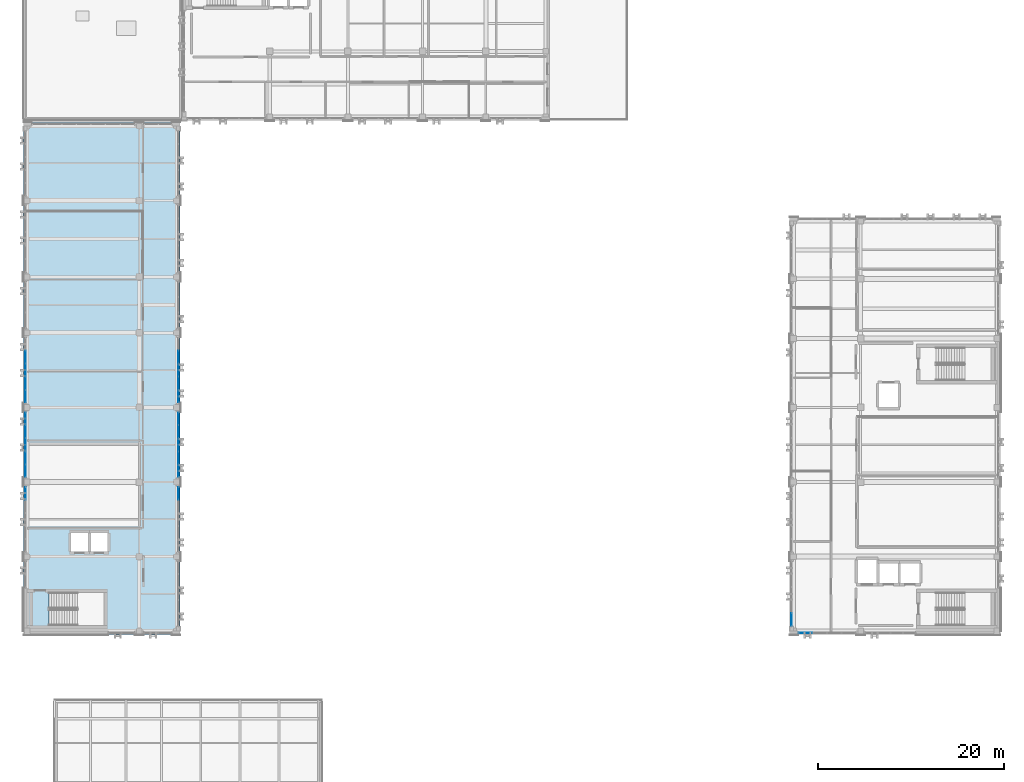
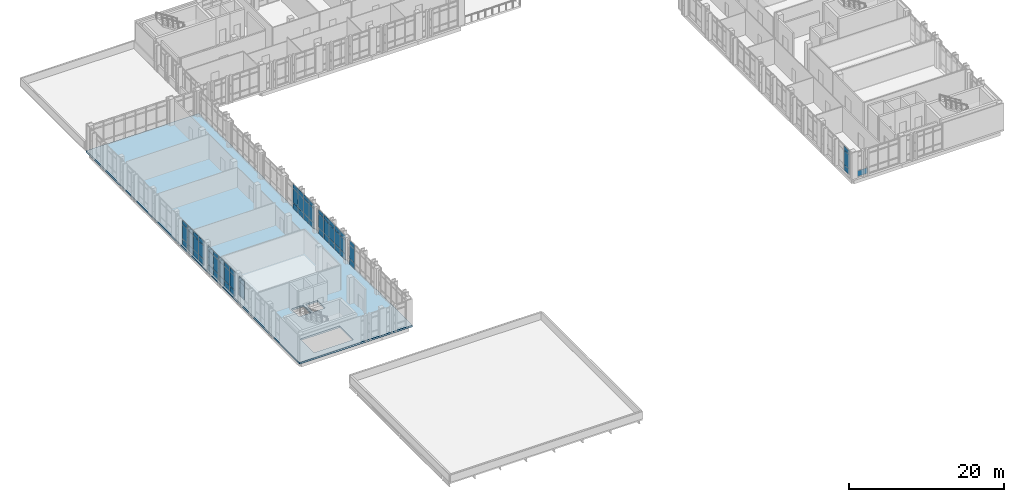
# One storey, part 59 of 90: 63 plates, 1 slab, 8 elements without a shape of their own.
"""IFC4 building model written with IfcOpenShell, lengths in metres."""

import ifcopenshell
import ifcopenshell.guid

model = None  # the IFC model being written
_history = None  # IfcOwnerHistory: only IFC2X3 demands one
_inside = {}  # id of a spatial element -> (the spatial element, [elements in it])
_under = {}  # id of a project, library or spatial element -> (it, [spatial elements below it])
_declared = {}  # id of a project -> (the project, [libraries it declares])
_typed = {}  # id of a type object -> (the type object, [elements of that type])
_made_of = {}  # id of a material, layer set ... -> (it, [elements and type objects made of it])


def new_model(schema):
    """Start an empty IFC model of exactly this schema.

    Asked for "IFC4X3", IfcOpenShell would pick the latest addendum, in which some entities
    have other attributes; the version numbers below select the first issue.
    IFC2X3 requires an IfcOwnerHistory on every rooted entity: one is made here for all.
    """
    global model, _history
    if schema == "IFC4X3":
        model = ifcopenshell.file(schema_version=(4, 3, 0, 0))
    else:
        model = ifcopenshell.file(schema=schema)
    _inside.clear()
    _under.clear()
    _declared.clear()
    _typed.clear()
    _made_of.clear()
    _history = None
    if model.schema == "IFC2X3":
        org = make("IfcOrganization", Name="unknown")
        user = make(
            "IfcPersonAndOrganization",
            ThePerson=make("IfcPerson", FamilyName="unknown"),
            TheOrganization=org,
        )
        app = make(
            "IfcApplication",
            ApplicationDeveloper=org,
            Version="unknown",
            ApplicationFullName="unknown",
            ApplicationIdentifier="unknown",
        )
        _history = make(
            "IfcOwnerHistory",
            OwningUser=user,
            OwningApplication=app,
            ChangeAction="ADDED",
            CreationDate=0,
        )
    return model


def make(cls, **values):
    """One entity of the class cls with the attributes given. An attribute that is None is left unset."""
    return model.create_entity(
        cls, **{name: value for name, value in values.items() if value is not None}
    )


def rooted(cls, **values):
    """An entity with a GlobalId (a new one), such as an element, a storey or a relation."""
    return make(cls, GlobalId=ifcopenshell.guid.new(), OwnerHistory=_history, **values)


def si_unit(unit_type, name, prefix=None):
    """IfcSIUnit, for example si_unit("LENGTHUNIT", "METRE", prefix="MILLI")."""
    return make("IfcSIUnit", UnitType=unit_type, Prefix=prefix, Name=name)


def assignment(units):
    """IfcUnitAssignment: the units of a project."""
    return None if units is None else make("IfcUnitAssignment", Units=units)


def point(xyz):
    """IfcCartesianPoint."""
    return None if xyz is None else make("IfcCartesianPoint", Coordinates=xyz)


def direction(xyz):
    """IfcDirection."""
    return None if xyz is None else make("IfcDirection", DirectionRatios=xyz)


def frame(location, z_axis=None, x_axis=None):
    """IfcAxis2Placement3D, a coordinate frame: its origin and axes. An axis left out is left unset."""
    return make(
        "IfcAxis2Placement3D",
        Location=point(location),
        Axis=direction(z_axis),
        RefDirection=direction(x_axis),
    )


def frame_2d(location, x_axis=None):
    """IfcAxis2Placement2D, a coordinate frame in the plane: its origin and x axis."""
    return make(
        "IfcAxis2Placement2D", Location=point(location), RefDirection=direction(x_axis)
    )


def origin():
    """The frame at (0, 0, 0) with its axes left unset."""
    return frame((0.0, 0.0, 0.0))


def origin_2d():
    """The frame at (0, 0) in the plane with its x axis left unset."""
    return frame_2d((0.0, 0.0))


def place(relative_to, where):
    """IfcLocalPlacement: puts the frame where relative to a parent placement (None: the world)."""
    return make(
        "IfcLocalPlacement", PlacementRelTo=relative_to, RelativePlacement=where
    )


def context(
    kind, dimensions, precision=None, world=None, true_north=None, identifier=None
):
    """IfcGeometricRepresentationContext, for example the 3D "Model" context."""
    return make(
        "IfcGeometricRepresentationContext",
        ContextIdentifier=identifier,
        ContextType=kind,
        CoordinateSpaceDimension=dimensions,
        Precision=precision,
        WorldCoordinateSystem=world,
        TrueNorth=true_north,
    )


def subcontext(parent, identifier, kind, view, scale=None):
    """IfcGeometricRepresentationSubContext, for example "Body" below "Model"."""
    return make(
        "IfcGeometricRepresentationSubContext",
        ContextIdentifier=identifier,
        ContextType=kind,
        ParentContext=parent,
        TargetScale=scale,
        TargetView=view,
    )


def project(units=None, contexts=None):
    """IfcProject with its units and contexts."""
    return rooted(
        "IfcProject",
        Name="project",
        RepresentationContexts=contexts,
        UnitsInContext=assignment(units),
    )


def spatial(cls, under=None, at=None, **own):
    """A site, building, storey or space (cls), placed at a placement, below another one or the project."""
    s = rooted(cls, ObjectPlacement=at, **own)
    if under is not None:
        _under.setdefault(under.id(), (under, []))[1].append(s)
    return s


def polyline(points):
    """IfcPolyline through the points."""
    return make("IfcPolyline", Points=[point(p) for p in points])


def profile(cls, at=None, kind="AREA", **sizes):
    """A parametric profile (cls). Its sizes go by their IFC names, for example OverallWidth=200.0."""
    return make(cls, ProfileType=kind, Position=at, **sizes)


def rectangle(**sizes):
    """IfcRectangleProfileDef."""
    return profile("IfcRectangleProfileDef", **sizes)


def outline(outer, holes=None, kind="AREA"):
    """IfcArbitraryClosedProfileDef: a profile drawn as a closed curve; with holes, ...WithVoids."""
    if holes is None:
        return make("IfcArbitraryClosedProfileDef", ProfileType=kind, OuterCurve=outer)
    return make(
        "IfcArbitraryProfileDefWithVoids",
        ProfileType=kind,
        OuterCurve=outer,
        InnerCurves=holes,
    )


def extrude(swept, where, along, depth):
    """IfcExtrudedAreaSolid: the profile swept, set in the frame where, extruded along a direction by depth."""
    return make(
        "IfcExtrudedAreaSolid",
        SweptArea=swept,
        Position=where,
        ExtrudedDirection=direction(along),
        Depth=depth,
    )


def shape(context_of_items, identifier, shape_type, items):
    """IfcShapeRepresentation: the items that make up one representation, for example the "Body"."""
    return make(
        "IfcShapeRepresentation",
        ContextOfItems=context_of_items,
        RepresentationIdentifier=identifier,
        RepresentationType=shape_type,
        Items=items,
    )


def material(Name=None, Category=None):
    """IfcMaterial."""
    return make("IfcMaterial", Name=Name, Category=Category)


def layer(
    of_material, thickness, ventilated=None, Name=None, Category=None, Priority=None
):
    """IfcMaterialLayer: one layer of a wall or slab, of a material (None: an air gap)."""
    return make(
        "IfcMaterialLayer",
        Material=of_material,
        LayerThickness=thickness,
        IsVentilated=ventilated,
        Name=Name,
        Category=Category,
        Priority=Priority,
    )


def layer_set(layers, Name=None):
    """IfcMaterialLayerSet."""
    return make("IfcMaterialLayerSet", MaterialLayers=layers, LayerSetName=Name)


def made_of(thing, what):
    """Note that an element or type object is made of a material, layer set ...; save() writes the relation."""
    if what is not None:
        _made_of.setdefault(what.id(), (what, []))[1].append(thing)
    return thing


def type_object(cls, material=None, **own):
    """A type object (cls), such as IfcWallType, which elements share."""
    return made_of(rooted(cls, **own), material)


def element(
    cls,
    number,
    at=None,
    inside=None,
    cuts=None,
    type_object=None,
    material=None,
    context=None,
    identifier="Body",
    shape_type=None,
    held_by="IfcProductDefinitionShape",
    body=None,
    shapes=None,
    **own,
):
    """One element of the class cls, such as IfcWall. Its Tag is "e" and its number.

    at: its placement. inside: the storey or other place that contains it. cuts: it is an
    opening in that element (IfcRelVoidsElement). A single representation is given by context,
    identifier, shape_type and body (its items); several are given by shapes. held_by: the class
    of the entity that holds the representations. save() writes the other relations.
    """
    e = rooted(cls, Tag="e%d" % number, ObjectPlacement=at, **own)
    if body is not None:
        shapes = [shape(context, identifier, shape_type, body)]
    if shapes is not None:
        e.Representation = make(held_by, Representations=shapes)
    if inside is not None:
        _inside.setdefault(inside.id(), (inside, []))[1].append(e)
    if cuts is not None:
        rooted(
            "IfcRelVoidsElement", RelatingBuildingElement=cuts, RelatedOpeningElement=e
        )
    if type_object is not None:
        _typed.setdefault(type_object.id(), (type_object, []))[1].append(e)
    return made_of(e, material)


def aggregate(whole, parts):
    """IfcRelAggregates: a whole, such as a stair, and the parts it consists of."""
    return rooted("IfcRelAggregates", RelatingObject=whole, RelatedObjects=parts)


def save(model, path):
    """Write the relations noted so far, then the file.

    IfcRelAggregates (storeys below a building ...), IfcRelContainedInSpatialStructure (elements
    in a storey), IfcRelDefinesByType, IfcRelAssociatesMaterial and IfcRelDeclares: one each for
    every whole, place, type object, material and project.
    """
    for whole, parts in _under.values():
        aggregate(whole, parts)
    for where, things in _inside.values():
        rooted(
            "IfcRelContainedInSpatialStructure",
            RelatedElements=things,
            RelatingStructure=where,
        )
    for kind, things in _typed.values():
        rooted("IfcRelDefinesByType", RelatedObjects=things, RelatingType=kind)
    for what, things in _made_of.values():
        rooted("IfcRelAssociatesMaterial", RelatedObjects=things, RelatingMaterial=what)
    for by, libraries in _declared.values():
        rooted("IfcRelDeclares", RelatingContext=by, RelatedDefinitions=libraries)
    model.write(path)


model = new_model("IFC4")

# Units and contexts
model_context = context("Model", 3, precision=1e-05, world=origin(), true_north=direction((0.0, 1.0)))
body_context = subcontext(model_context, "Body", "Model", "MODEL_VIEW")
ifc_project = project(units=[si_unit("LENGTHUNIT", "METRE"), si_unit("AREAUNIT", "SQUARE_METRE"), si_unit("VOLUMEUNIT", "CUBIC_METRE"), si_unit("PLANEANGLEUNIT", "RADIAN"), si_unit("MASSUNIT", "GRAM", prefix="KILO")], contexts=[model_context])

# Site, building, storey
site_placement = place(None, origin())
site = spatial("IfcSite", under=ifc_project, at=site_placement, CompositionType="ELEMENT")
building_placement = place(site_placement, origin())
building = spatial("IfcBuilding", under=site, at=building_placement, Name="Qalavern Law Courts", CompositionType="ELEMENT")
storey_placement = place(building_placement, frame((0.0, 0.0, 22.800048828125)))
storey = spatial("IfcBuildingStorey", under=building, at=storey_placement, Name="L05", CompositionType="ELEMENT", Elevation=22.800048828125)

# Curtain wall, plate
ifc_material_1 = material(Name="Anodised aluminium and insulated glazing", Category="aluminium")
ifc_layer_1 = layer(ifc_material_1, 0.159912109375)
ifc_layer_set_1 = layer_set([ifc_layer_1], Name="Anodised aluminium and insulated glazing")
curtain_wall_type = type_object("IfcCurtainWallType", Name="ENV-CW-CHAMB", PredefinedType="USERDEFINED", material=ifc_layer_set_1)
curtain_wall_1_placement = place(storey_placement, origin())
curtain_wall_1 = element("IfcCurtainWall", 1, at=curtain_wall_1_placement, inside=storey, type_object=curtain_wall_type, Name="V4 unitised curtain wall L05 south 1", ObjectType="UNITISED CURTAIN WALL", PredefinedType="USERDEFINED")
ifc_material_2 = material(Name="Insulated low-E acoustic glazing", Category="glass")
ifc_layer_2 = layer(ifc_material_2, 0.028076171875)
ifc_layer_set_2 = layer_set([ifc_layer_2], Name="Insulated low-E acoustic glazing")
plate_type_1 = type_object("IfcPlateType", Name="ENV-CWP-28", PredefinedType="CURTAIN_PANEL", material=ifc_layer_set_2)
plate_1_placement = place(storey_placement, frame((85.886962890625, 41.21240234375, 0.048095703125), z_axis=(0.0, 0.0, 1.0), x_axis=(1.0, 0.0, 0.0)))
plate_1 = element("IfcPlate", 2, at=plate_1_placement, type_object=plate_type_1, Name="CW-04 panel 1.1", PredefinedType="CURTAIN_PANEL", context=body_context, shape_type="SweptSolid", body=[
    extrude(rectangle(XDim=1.47802734375, YDim=0.028076171875, at=origin_2d()), origin(), (0.0, 0.0, 1.0), 0.8779296875),
])
aggregate(curtain_wall_1, [plate_1])

# Curtain wall, plates
curtain_wall_2_placement = place(storey_placement, origin())
curtain_wall_2 = element("IfcCurtainWall", 3, at=curtain_wall_2_placement, inside=storey, type_object=curtain_wall_type, Name="V3 unitised curtain wall L05 east 2", ObjectType="UNITISED CURTAIN WALL", PredefinedType="USERDEFINED")
ifc_layer_3 = layer(ifc_material_2, 0.031982421875)
ifc_layer_set_3 = layer_set([ifc_layer_3], Name="Insulated low-E acoustic glazing")
plate_type_2 = type_object("IfcPlateType", Name="ENV-CWP-32", PredefinedType="CURTAIN_PANEL", material=ifc_layer_set_3)
plate_2_placement = place(storey_placement, frame((18.607421875, 56.18798828125, 0.048095703125), z_axis=(0.0, 0.0, 1.0), x_axis=(0.0, 1.0, 0.0)))
plate_2 = element("IfcPlate", 4, at=plate_2_placement, type_object=plate_type_2, Name="CW-04 panel 5.1", PredefinedType="CURTAIN_PANEL", context=body_context, shape_type="SweptSolid", body=[
    extrude(rectangle(XDim=1.327880859375, YDim=0.031982421875, at=origin_2d()), origin(), (0.0, 0.0, 1.0), 0.8779296875),
])
plate_3_placement = place(storey_placement, frame((18.607421875, 56.18798828125, 0.97412109375), z_axis=(0.0, 0.0, 1.0), x_axis=(0.0, 1.0, 0.0)))
plate_3 = element("IfcPlate", 5, at=plate_3_placement, type_object=plate_type_2, Name="CW-04 panel 5.2", PredefinedType="CURTAIN_PANEL", context=body_context, shape_type="SweptSolid", body=[
    extrude(rectangle(XDim=1.327880859375, YDim=0.031982421875, at=origin_2d()), origin(), (0.0, 0.0, 1.0), 2.181884765625),
])
plate_4_placement = place(storey_placement, frame((18.607421875, 56.18798828125, 3.2041015625), z_axis=(0.0, 0.0, 1.0), x_axis=(0.0, 1.0, 0.0)))
plate_4 = element("IfcPlate", 6, at=plate_4_placement, type_object=plate_type_2, Name="CW-04 panel 5.3", PredefinedType="CURTAIN_PANEL", context=body_context, shape_type="SweptSolid", body=[
    extrude(rectangle(XDim=1.327880859375, YDim=0.031982421875, at=origin_2d()), origin(), (0.0, 0.0, 1.0), 0.677978515625),
])
aggregate(curtain_wall_2, [plate_2, plate_3, plate_4])

curtain_wall_3_placement = place(storey_placement, origin())
curtain_wall_3 = element("IfcCurtainWall", 7, at=curtain_wall_3_placement, inside=storey, type_object=curtain_wall_type, Name="V3 unitised curtain wall L05 east 3", ObjectType="UNITISED CURTAIN WALL", PredefinedType="USERDEFINED")
ifc_layer_4 = layer(ifc_material_2, 0.035888671875)
ifc_layer_set_4 = layer_set([ifc_layer_4], Name="Insulated low-E acoustic glazing")
plate_type_3 = type_object("IfcPlateType", Name="ENV-CWP-36", PredefinedType="CURTAIN_PANEL", material=ifc_layer_set_4)
plate_5_placement = place(storey_placement, frame((18.607421875, 58.612060546875, 0.048095703125), z_axis=(0.0, 0.0, 1.0), x_axis=(0.0, 1.0, 0.0)))
plate_5 = element("IfcPlate", 8, at=plate_5_placement, type_object=plate_type_3, Name="CW-04 panel 1.1", PredefinedType="CURTAIN_PANEL", context=body_context, shape_type="SweptSolid", body=[
    extrude(rectangle(XDim=1.327880859375, YDim=0.035888671875, at=origin_2d()), origin(), (0.0, 0.0, 1.0), 0.8779296875),
])
plate_6_placement = place(storey_placement, frame((18.607421875, 58.612060546875, 0.97412109375), z_axis=(0.0, 0.0, 1.0), x_axis=(0.0, 1.0, 0.0)))
plate_6 = element("IfcPlate", 9, at=plate_6_placement, type_object=plate_type_3, Name="CW-04 panel 1.2", PredefinedType="CURTAIN_PANEL", context=body_context, shape_type="SweptSolid", body=[
    extrude(rectangle(XDim=1.327880859375, YDim=0.035888671875, at=origin_2d()), origin(), (0.0, 0.0, 1.0), 2.181884765625),
])
plate_7_placement = place(storey_placement, frame((18.607421875, 58.612060546875, 3.2041015625), z_axis=(0.0, 0.0, 1.0), x_axis=(0.0, 1.0, 0.0)))
plate_7 = element("IfcPlate", 10, at=plate_7_placement, type_object=plate_type_3, Name="CW-04 panel 1.3", PredefinedType="CURTAIN_PANEL", context=body_context, shape_type="SweptSolid", body=[
    extrude(rectangle(XDim=1.327880859375, YDim=0.035888671875, at=origin_2d()), origin(), (0.0, 0.0, 1.0), 0.677978515625),
])
plate_8_placement = place(storey_placement, frame((18.607421875, 60.0, 0.048095703125), z_axis=(0.0, 0.0, 1.0), x_axis=(0.0, 1.0, 0.0)))
plate_8 = element("IfcPlate", 11, at=plate_8_placement, type_object=plate_type_3, Name="CW-04 panel 2.1", PredefinedType="CURTAIN_PANEL", context=body_context, shape_type="SweptSolid", body=[
    extrude(rectangle(XDim=1.35205078125, YDim=0.035888671875, at=origin_2d()), origin(), (0.0, 0.0, 1.0), 0.8779296875),
])
plate_9_placement = place(storey_placement, frame((18.607421875, 60.0, 0.97412109375), z_axis=(0.0, 0.0, 1.0), x_axis=(0.0, 1.0, 0.0)))
plate_9 = element("IfcPlate", 12, at=plate_9_placement, type_object=plate_type_3, Name="CW-04 panel 2.2", PredefinedType="CURTAIN_PANEL", context=body_context, shape_type="SweptSolid", body=[
    extrude(rectangle(XDim=1.35205078125, YDim=0.035888671875, at=origin_2d()), origin(), (0.0, 0.0, 1.0), 2.181884765625),
])
plate_10_placement = place(storey_placement, frame((18.607421875, 60.0, 3.2041015625), z_axis=(0.0, 0.0, 1.0), x_axis=(0.0, 1.0, 0.0)))
plate_10 = element("IfcPlate", 13, at=plate_10_placement, type_object=plate_type_3, Name="CW-04 panel 2.3", PredefinedType="CURTAIN_PANEL", context=body_context, shape_type="SweptSolid", body=[
    extrude(rectangle(XDim=1.35205078125, YDim=0.035888671875, at=origin_2d()), origin(), (0.0, 0.0, 1.0), 0.677978515625),
])
plate_11_placement = place(storey_placement, frame((18.607421875, 61.39990234375, 0.048095703125), z_axis=(0.0, 0.0, 1.0), x_axis=(0.0, 1.0, 0.0)))
plate_11 = element("IfcPlate", 14, at=plate_11_placement, type_object=plate_type_3, Name="CW-04 panel 3.1", PredefinedType="CURTAIN_PANEL", context=body_context, shape_type="SweptSolid", body=[
    extrude(rectangle(XDim=1.35205078125, YDim=0.035888671875, at=origin_2d()), origin(), (0.0, 0.0, 1.0), 0.8779296875),
])
plate_12_placement = place(storey_placement, frame((18.607421875, 61.39990234375, 0.97412109375), z_axis=(0.0, 0.0, 1.0), x_axis=(0.0, 1.0, 0.0)))
plate_12 = element("IfcPlate", 15, at=plate_12_placement, type_object=plate_type_3, Name="CW-04 panel 3.2", PredefinedType="CURTAIN_PANEL", context=body_context, shape_type="SweptSolid", body=[
    extrude(rectangle(XDim=1.35205078125, YDim=0.035888671875, at=origin_2d()), origin(), (0.0, 0.0, 1.0), 2.181884765625),
])
plate_13_placement = place(storey_placement, frame((18.607421875, 61.39990234375, 3.2041015625), z_axis=(0.0, 0.0, 1.0), x_axis=(0.0, 1.0, 0.0)))
plate_13 = element("IfcPlate", 16, at=plate_13_placement, type_object=plate_type_3, Name="CW-04 panel 3.3", PredefinedType="CURTAIN_PANEL", context=body_context, shape_type="SweptSolid", body=[
    extrude(rectangle(XDim=1.35205078125, YDim=0.035888671875, at=origin_2d()), origin(), (0.0, 0.0, 1.0), 0.677978515625),
])
plate_14_placement = place(storey_placement, frame((18.607421875, 62.800048828125, 0.048095703125), z_axis=(0.0, 0.0, 1.0), x_axis=(0.0, 1.0, 0.0)))
plate_14 = element("IfcPlate", 17, at=plate_14_placement, type_object=plate_type_3, Name="CW-04 panel 4.1", PredefinedType="CURTAIN_PANEL", context=body_context, shape_type="SweptSolid", body=[
    extrude(rectangle(XDim=1.35205078125, YDim=0.035888671875, at=origin_2d()), origin(), (0.0, 0.0, 1.0), 0.8779296875),
])
plate_15_placement = place(storey_placement, frame((18.607421875, 62.800048828125, 0.97412109375), z_axis=(0.0, 0.0, 1.0), x_axis=(0.0, 1.0, 0.0)))
plate_15 = element("IfcPlate", 18, at=plate_15_placement, type_object=plate_type_3, Name="CW-04 panel 4.2", PredefinedType="CURTAIN_PANEL", context=body_context, shape_type="SweptSolid", body=[
    extrude(rectangle(XDim=1.35205078125, YDim=0.035888671875, at=origin_2d()), origin(), (0.0, 0.0, 1.0), 2.181884765625),
])
plate_16_placement = place(storey_placement, frame((18.607421875, 62.800048828125, 3.2041015625), z_axis=(0.0, 0.0, 1.0), x_axis=(0.0, 1.0, 0.0)))
plate_16 = element("IfcPlate", 19, at=plate_16_placement, type_object=plate_type_3, Name="CW-04 panel 4.3", PredefinedType="CURTAIN_PANEL", context=body_context, shape_type="SweptSolid", body=[
    extrude(rectangle(XDim=1.35205078125, YDim=0.035888671875, at=origin_2d()), origin(), (0.0, 0.0, 1.0), 0.677978515625),
])
plate_17_placement = place(storey_placement, frame((18.607421875, 64.18798828125, 0.048095703125), z_axis=(0.0, 0.0, 1.0), x_axis=(0.0, 1.0, 0.0)))
plate_17 = element("IfcPlate", 20, at=plate_17_placement, type_object=plate_type_3, Name="CW-04 panel 5.1", PredefinedType="CURTAIN_PANEL", context=body_context, shape_type="SweptSolid", body=[
    extrude(rectangle(XDim=1.327880859375, YDim=0.035888671875, at=origin_2d()), origin(), (0.0, 0.0, 1.0), 0.8779296875),
])
plate_18_placement = place(storey_placement, frame((18.607421875, 64.18798828125, 0.97412109375), z_axis=(0.0, 0.0, 1.0), x_axis=(0.0, 1.0, 0.0)))
plate_18 = element("IfcPlate", 21, at=plate_18_placement, type_object=plate_type_3, Name="CW-04 panel 5.2", PredefinedType="CURTAIN_PANEL", context=body_context, shape_type="SweptSolid", body=[
    extrude(rectangle(XDim=1.327880859375, YDim=0.035888671875, at=origin_2d()), origin(), (0.0, 0.0, 1.0), 2.181884765625),
])
plate_19_placement = place(storey_placement, frame((18.607421875, 64.18798828125, 3.2041015625), z_axis=(0.0, 0.0, 1.0), x_axis=(0.0, 1.0, 0.0)))
plate_19 = element("IfcPlate", 22, at=plate_19_placement, type_object=plate_type_3, Name="CW-04 panel 5.3", PredefinedType="CURTAIN_PANEL", context=body_context, shape_type="SweptSolid", body=[
    extrude(rectangle(XDim=1.327880859375, YDim=0.035888671875, at=origin_2d()), origin(), (0.0, 0.0, 1.0), 0.677978515625),
])
aggregate(curtain_wall_3, [plate_5, plate_6, plate_7, plate_8, plate_9, plate_10, plate_11, plate_12, plate_13, plate_14, plate_15, plate_16, plate_17, plate_18, plate_19])

curtain_wall_4_placement = place(storey_placement, origin())
curtain_wall_4 = element("IfcCurtainWall", 23, at=curtain_wall_4_placement, inside=storey, type_object=curtain_wall_type, Name="V3 unitised curtain wall L05 east 4", ObjectType="UNITISED CURTAIN WALL", PredefinedType="USERDEFINED")
ifc_layer_5 = layer(ifc_material_2, 0.0400390625)
ifc_layer_set_5 = layer_set([ifc_layer_5], Name="Insulated low-E acoustic glazing")
plate_type_4 = type_object("IfcPlateType", Name="ENV-CWP-40", PredefinedType="CURTAIN_PANEL", material=ifc_layer_set_5)
plate_20_placement = place(storey_placement, frame((18.607421875, 66.612060546875, 0.048095703125), z_axis=(0.0, 0.0, 1.0), x_axis=(0.0, 1.0, 0.0)))
plate_20 = element("IfcPlate", 24, at=plate_20_placement, type_object=plate_type_4, Name="CW-04 panel 1.1", PredefinedType="CURTAIN_PANEL", context=body_context, shape_type="SweptSolid", body=[
    extrude(rectangle(XDim=1.327880859375, YDim=0.0400390625, at=origin_2d()), origin(), (0.0, 0.0, 1.0), 0.8779296875),
])
plate_21_placement = place(storey_placement, frame((18.607421875, 66.612060546875, 0.97412109375), z_axis=(0.0, 0.0, 1.0), x_axis=(0.0, 1.0, 0.0)))
plate_21 = element("IfcPlate", 25, at=plate_21_placement, type_object=plate_type_4, Name="CW-04 panel 1.2", PredefinedType="CURTAIN_PANEL", context=body_context, shape_type="SweptSolid", body=[
    extrude(rectangle(XDim=1.327880859375, YDim=0.0400390625, at=origin_2d()), origin(), (0.0, 0.0, 1.0), 2.181884765625),
])
plate_22_placement = place(storey_placement, frame((18.607421875, 66.612060546875, 3.2041015625), z_axis=(0.0, 0.0, 1.0), x_axis=(0.0, 1.0, 0.0)))
plate_22 = element("IfcPlate", 26, at=plate_22_placement, type_object=plate_type_4, Name="CW-04 panel 1.3", PredefinedType="CURTAIN_PANEL", context=body_context, shape_type="SweptSolid", body=[
    extrude(rectangle(XDim=1.327880859375, YDim=0.0400390625, at=origin_2d()), origin(), (0.0, 0.0, 1.0), 0.677978515625),
])
plate_23_placement = place(storey_placement, frame((18.607421875, 68.0, 0.048095703125), z_axis=(0.0, 0.0, 1.0), x_axis=(0.0, 1.0, 0.0)))
plate_23 = element("IfcPlate", 27, at=plate_23_placement, type_object=plate_type_4, Name="CW-04 panel 2.1", PredefinedType="CURTAIN_PANEL", context=body_context, shape_type="SweptSolid", body=[
    extrude(rectangle(XDim=1.35205078125, YDim=0.0400390625, at=origin_2d()), origin(), (0.0, 0.0, 1.0), 0.8779296875),
])
plate_24_placement = place(storey_placement, frame((18.607421875, 68.0, 0.97412109375), z_axis=(0.0, 0.0, 1.0), x_axis=(0.0, 1.0, 0.0)))
plate_24 = element("IfcPlate", 28, at=plate_24_placement, type_object=plate_type_4, Name="CW-04 panel 2.2", PredefinedType="CURTAIN_PANEL", context=body_context, shape_type="SweptSolid", body=[
    extrude(rectangle(XDim=1.35205078125, YDim=0.0400390625, at=origin_2d()), origin(), (0.0, 0.0, 1.0), 2.181884765625),
])
plate_25_placement = place(storey_placement, frame((18.607421875, 68.0, 3.2041015625), z_axis=(0.0, 0.0, 1.0), x_axis=(0.0, 1.0, 0.0)))
plate_25 = element("IfcPlate", 29, at=plate_25_placement, type_object=plate_type_4, Name="CW-04 panel 2.3", PredefinedType="CURTAIN_PANEL", context=body_context, shape_type="SweptSolid", body=[
    extrude(rectangle(XDim=1.35205078125, YDim=0.0400390625, at=origin_2d()), origin(), (0.0, 0.0, 1.0), 0.677978515625),
])
plate_26_placement = place(storey_placement, frame((18.607421875, 69.39990234375, 0.048095703125), z_axis=(0.0, 0.0, 1.0), x_axis=(0.0, 1.0, 0.0)))
plate_26 = element("IfcPlate", 30, at=plate_26_placement, type_object=plate_type_4, Name="CW-04 panel 3.1", PredefinedType="CURTAIN_PANEL", context=body_context, shape_type="SweptSolid", body=[
    extrude(rectangle(XDim=1.35205078125, YDim=0.0400390625, at=origin_2d()), origin(), (0.0, 0.0, 1.0), 0.8779296875),
])
plate_27_placement = place(storey_placement, frame((18.607421875, 69.39990234375, 0.97412109375), z_axis=(0.0, 0.0, 1.0), x_axis=(0.0, 1.0, 0.0)))
plate_27 = element("IfcPlate", 31, at=plate_27_placement, type_object=plate_type_4, Name="CW-04 panel 3.2", PredefinedType="CURTAIN_PANEL", context=body_context, shape_type="SweptSolid", body=[
    extrude(rectangle(XDim=1.35205078125, YDim=0.0400390625, at=origin_2d()), origin(), (0.0, 0.0, 1.0), 2.181884765625),
])
plate_28_placement = place(storey_placement, frame((18.607421875, 69.39990234375, 3.2041015625), z_axis=(0.0, 0.0, 1.0), x_axis=(0.0, 1.0, 0.0)))
plate_28 = element("IfcPlate", 32, at=plate_28_placement, type_object=plate_type_4, Name="CW-04 panel 3.3", PredefinedType="CURTAIN_PANEL", context=body_context, shape_type="SweptSolid", body=[
    extrude(rectangle(XDim=1.35205078125, YDim=0.0400390625, at=origin_2d()), origin(), (0.0, 0.0, 1.0), 0.677978515625),
])
plate_29_placement = place(storey_placement, frame((18.607421875, 70.800048828125, 0.048095703125), z_axis=(0.0, 0.0, 1.0), x_axis=(0.0, 1.0, 0.0)))
plate_29 = element("IfcPlate", 33, at=plate_29_placement, type_object=plate_type_4, Name="CW-04 panel 4.1", PredefinedType="CURTAIN_PANEL", context=body_context, shape_type="SweptSolid", body=[
    extrude(rectangle(XDim=1.35205078125, YDim=0.0400390625, at=origin_2d()), origin(), (0.0, 0.0, 1.0), 0.8779296875),
])
plate_30_placement = place(storey_placement, frame((18.607421875, 70.800048828125, 0.97412109375), z_axis=(0.0, 0.0, 1.0), x_axis=(0.0, 1.0, 0.0)))
plate_30 = element("IfcPlate", 34, at=plate_30_placement, type_object=plate_type_4, Name="CW-04 panel 4.2", PredefinedType="CURTAIN_PANEL", context=body_context, shape_type="SweptSolid", body=[
    extrude(rectangle(XDim=1.35205078125, YDim=0.0400390625, at=origin_2d()), origin(), (0.0, 0.0, 1.0), 2.181884765625),
])
plate_31_placement = place(storey_placement, frame((18.607421875, 70.800048828125, 3.2041015625), z_axis=(0.0, 0.0, 1.0), x_axis=(0.0, 1.0, 0.0)))
plate_31 = element("IfcPlate", 35, at=plate_31_placement, type_object=plate_type_4, Name="CW-04 panel 4.3", PredefinedType="CURTAIN_PANEL", context=body_context, shape_type="SweptSolid", body=[
    extrude(rectangle(XDim=1.35205078125, YDim=0.0400390625, at=origin_2d()), origin(), (0.0, 0.0, 1.0), 0.677978515625),
])
aggregate(curtain_wall_4, [plate_20, plate_21, plate_22, plate_23, plate_24, plate_25, plate_26, plate_27, plate_28, plate_29, plate_30, plate_31])

curtain_wall_5_placement = place(storey_placement, origin())
curtain_wall_5 = element("IfcCurtainWall", 36, at=curtain_wall_5_placement, inside=storey, type_object=curtain_wall_type, Name="V3 unitised curtain wall L05 west 4", ObjectType="UNITISED CURTAIN WALL", PredefinedType="USERDEFINED")
plate_32_placement = place(storey_placement, frame((2.1923828125, 70.800048828125, 0.048095703125), z_axis=(0.0, 0.0, 1.0), x_axis=(0.0, -1.0, 0.0)))
plate_32 = element("IfcPlate", 37, at=plate_32_placement, type_object=plate_type_4, Name="CW-04 panel 2.1", PredefinedType="CURTAIN_PANEL", context=body_context, shape_type="SweptSolid", body=[
    extrude(rectangle(XDim=1.35205078125, YDim=0.0400390625, at=origin_2d()), origin(), (0.0, 0.0, 1.0), 0.8779296875),
])
plate_33_placement = place(storey_placement, frame((2.1923828125, 70.800048828125, 0.97412109375), z_axis=(0.0, 0.0, 1.0), x_axis=(0.0, -1.0, 0.0)))
plate_33 = element("IfcPlate", 38, at=plate_33_placement, type_object=plate_type_4, Name="CW-04 panel 2.2", PredefinedType="CURTAIN_PANEL", context=body_context, shape_type="SweptSolid", body=[
    extrude(rectangle(XDim=1.35205078125, YDim=0.0400390625, at=origin_2d()), origin(), (0.0, 0.0, 1.0), 2.181884765625),
])
plate_34_placement = place(storey_placement, frame((2.1923828125, 70.800048828125, 3.2041015625), z_axis=(0.0, 0.0, 1.0), x_axis=(0.0, -1.0, 0.0)))
plate_34 = element("IfcPlate", 39, at=plate_34_placement, type_object=plate_type_4, Name="CW-04 panel 2.3", PredefinedType="CURTAIN_PANEL", context=body_context, shape_type="SweptSolid", body=[
    extrude(rectangle(XDim=1.35205078125, YDim=0.0400390625, at=origin_2d()), origin(), (0.0, 0.0, 1.0), 0.677978515625),
])
plate_35_placement = place(storey_placement, frame((2.1923828125, 69.39990234375, 0.048095703125), z_axis=(0.0, 0.0, 1.0), x_axis=(0.0, -1.0, 0.0)))
plate_35 = element("IfcPlate", 40, at=plate_35_placement, type_object=plate_type_4, Name="CW-04 panel 3.1", PredefinedType="CURTAIN_PANEL", context=body_context, shape_type="SweptSolid", body=[
    extrude(rectangle(XDim=1.35205078125, YDim=0.0400390625, at=origin_2d()), origin(), (0.0, 0.0, 1.0), 0.8779296875),
])
plate_36_placement = place(storey_placement, frame((2.1923828125, 69.39990234375, 0.97412109375), z_axis=(0.0, 0.0, 1.0), x_axis=(0.0, -1.0, 0.0)))
plate_36 = element("IfcPlate", 41, at=plate_36_placement, type_object=plate_type_4, Name="CW-04 panel 3.2", PredefinedType="CURTAIN_PANEL", context=body_context, shape_type="SweptSolid", body=[
    extrude(rectangle(XDim=1.35205078125, YDim=0.0400390625, at=origin_2d()), origin(), (0.0, 0.0, 1.0), 2.181884765625),
])
plate_37_placement = place(storey_placement, frame((2.1923828125, 69.39990234375, 3.2041015625), z_axis=(0.0, 0.0, 1.0), x_axis=(0.0, -1.0, 0.0)))
plate_37 = element("IfcPlate", 42, at=plate_37_placement, type_object=plate_type_4, Name="CW-04 panel 3.3", PredefinedType="CURTAIN_PANEL", context=body_context, shape_type="SweptSolid", body=[
    extrude(rectangle(XDim=1.35205078125, YDim=0.0400390625, at=origin_2d()), origin(), (0.0, 0.0, 1.0), 0.677978515625),
])
plate_38_placement = place(storey_placement, frame((2.1923828125, 68.0, 0.048095703125), z_axis=(0.0, 0.0, 1.0), x_axis=(0.0, -1.0, 0.0)))
plate_38 = element("IfcPlate", 43, at=plate_38_placement, type_object=plate_type_4, Name="CW-04 panel 4.1", PredefinedType="CURTAIN_PANEL", context=body_context, shape_type="SweptSolid", body=[
    extrude(rectangle(XDim=1.35205078125, YDim=0.0400390625, at=origin_2d()), origin(), (0.0, 0.0, 1.0), 0.8779296875),
])
plate_39_placement = place(storey_placement, frame((2.1923828125, 68.0, 0.97412109375), z_axis=(0.0, 0.0, 1.0), x_axis=(0.0, -1.0, 0.0)))
plate_39 = element("IfcPlate", 44, at=plate_39_placement, type_object=plate_type_4, Name="CW-04 panel 4.2", PredefinedType="CURTAIN_PANEL", context=body_context, shape_type="SweptSolid", body=[
    extrude(rectangle(XDim=1.35205078125, YDim=0.0400390625, at=origin_2d()), origin(), (0.0, 0.0, 1.0), 2.181884765625),
])
plate_40_placement = place(storey_placement, frame((2.1923828125, 68.0, 3.2041015625), z_axis=(0.0, 0.0, 1.0), x_axis=(0.0, -1.0, 0.0)))
plate_40 = element("IfcPlate", 45, at=plate_40_placement, type_object=plate_type_4, Name="CW-04 panel 4.3", PredefinedType="CURTAIN_PANEL", context=body_context, shape_type="SweptSolid", body=[
    extrude(rectangle(XDim=1.35205078125, YDim=0.0400390625, at=origin_2d()), origin(), (0.0, 0.0, 1.0), 0.677978515625),
])
plate_41_placement = place(storey_placement, frame((2.1923828125, 66.612060546875, 0.048095703125), z_axis=(0.0, 0.0, 1.0), x_axis=(0.0, -1.0, 0.0)))
plate_41 = element("IfcPlate", 46, at=plate_41_placement, type_object=plate_type_4, Name="CW-04 panel 5.1", PredefinedType="CURTAIN_PANEL", context=body_context, shape_type="SweptSolid", body=[
    extrude(rectangle(XDim=1.327880859375, YDim=0.0400390625, at=origin_2d()), origin(), (0.0, 0.0, 1.0), 0.8779296875),
])
plate_42_placement = place(storey_placement, frame((2.1923828125, 66.612060546875, 0.97412109375), z_axis=(0.0, 0.0, 1.0), x_axis=(0.0, -1.0, 0.0)))
plate_42 = element("IfcPlate", 47, at=plate_42_placement, type_object=plate_type_4, Name="CW-04 panel 5.2", PredefinedType="CURTAIN_PANEL", context=body_context, shape_type="SweptSolid", body=[
    extrude(rectangle(XDim=1.327880859375, YDim=0.0400390625, at=origin_2d()), origin(), (0.0, 0.0, 1.0), 2.181884765625),
])
plate_43_placement = place(storey_placement, frame((2.1923828125, 66.612060546875, 3.2041015625), z_axis=(0.0, 0.0, 1.0), x_axis=(0.0, -1.0, 0.0)))
plate_43 = element("IfcPlate", 48, at=plate_43_placement, type_object=plate_type_4, Name="CW-04 panel 5.3", PredefinedType="CURTAIN_PANEL", context=body_context, shape_type="SweptSolid", body=[
    extrude(rectangle(XDim=1.327880859375, YDim=0.0400390625, at=origin_2d()), origin(), (0.0, 0.0, 1.0), 0.677978515625),
])
aggregate(curtain_wall_5, [plate_32, plate_33, plate_34, plate_35, plate_36, plate_37, plate_38, plate_39, plate_40, plate_41, plate_42, plate_43])

curtain_wall_6_placement = place(storey_placement, origin())
curtain_wall_6 = element("IfcCurtainWall", 49, at=curtain_wall_6_placement, inside=storey, type_object=curtain_wall_type, Name="V3 unitised curtain wall L05 west 5", ObjectType="UNITISED CURTAIN WALL", PredefinedType="USERDEFINED")
ifc_layer_6 = layer(ifc_material_2, 0.0439453125)
ifc_layer_set_6 = layer_set([ifc_layer_6], Name="Insulated low-E acoustic glazing")
plate_type_5 = type_object("IfcPlateType", Name="ENV-CWP-44", PredefinedType="CURTAIN_PANEL", material=ifc_layer_set_6)
plate_44_placement = place(storey_placement, frame((2.1923828125, 64.18798828125, 0.048095703125), z_axis=(0.0, 0.0, 1.0), x_axis=(0.0, -1.0, 0.0)))
plate_44 = element("IfcPlate", 50, at=plate_44_placement, type_object=plate_type_5, Name="CW-04 panel 1.1", PredefinedType="CURTAIN_PANEL", context=body_context, shape_type="SweptSolid", body=[
    extrude(rectangle(XDim=1.327880859375, YDim=0.0439453125, at=origin_2d()), origin(), (0.0, 0.0, 1.0), 0.8779296875),
])
plate_45_placement = place(storey_placement, frame((2.1923828125, 64.18798828125, 0.97412109375), z_axis=(0.0, 0.0, 1.0), x_axis=(0.0, -1.0, 0.0)))
plate_45 = element("IfcPlate", 51, at=plate_45_placement, type_object=plate_type_5, Name="CW-04 panel 1.2", PredefinedType="CURTAIN_PANEL", context=body_context, shape_type="SweptSolid", body=[
    extrude(rectangle(XDim=1.327880859375, YDim=0.0439453125, at=origin_2d()), origin(), (0.0, 0.0, 1.0), 2.181884765625),
])
plate_46_placement = place(storey_placement, frame((2.1923828125, 64.18798828125, 3.2041015625), z_axis=(0.0, 0.0, 1.0), x_axis=(0.0, -1.0, 0.0)))
plate_46 = element("IfcPlate", 52, at=plate_46_placement, type_object=plate_type_5, Name="CW-04 panel 1.3", PredefinedType="CURTAIN_PANEL", context=body_context, shape_type="SweptSolid", body=[
    extrude(rectangle(XDim=1.327880859375, YDim=0.0439453125, at=origin_2d()), origin(), (0.0, 0.0, 1.0), 0.677978515625),
])
plate_47_placement = place(storey_placement, frame((2.1923828125, 62.800048828125, 0.048095703125), z_axis=(0.0, 0.0, 1.0), x_axis=(0.0, -1.0, 0.0)))
plate_47 = element("IfcPlate", 53, at=plate_47_placement, type_object=plate_type_5, Name="CW-04 panel 2.1", PredefinedType="CURTAIN_PANEL", context=body_context, shape_type="SweptSolid", body=[
    extrude(rectangle(XDim=1.35205078125, YDim=0.0439453125, at=origin_2d()), origin(), (0.0, 0.0, 1.0), 0.8779296875),
])
plate_48_placement = place(storey_placement, frame((2.1923828125, 62.800048828125, 0.97412109375), z_axis=(0.0, 0.0, 1.0), x_axis=(0.0, -1.0, 0.0)))
plate_48 = element("IfcPlate", 54, at=plate_48_placement, type_object=plate_type_5, Name="CW-04 panel 2.2", PredefinedType="CURTAIN_PANEL", context=body_context, shape_type="SweptSolid", body=[
    extrude(rectangle(XDim=1.35205078125, YDim=0.0439453125, at=origin_2d()), origin(), (0.0, 0.0, 1.0), 2.181884765625),
])
plate_49_placement = place(storey_placement, frame((2.1923828125, 62.800048828125, 3.2041015625), z_axis=(0.0, 0.0, 1.0), x_axis=(0.0, -1.0, 0.0)))
plate_49 = element("IfcPlate", 55, at=plate_49_placement, type_object=plate_type_5, Name="CW-04 panel 2.3", PredefinedType="CURTAIN_PANEL", context=body_context, shape_type="SweptSolid", body=[
    extrude(rectangle(XDim=1.35205078125, YDim=0.0439453125, at=origin_2d()), origin(), (0.0, 0.0, 1.0), 0.677978515625),
])
plate_50_placement = place(storey_placement, frame((2.1923828125, 61.39990234375, 0.048095703125), z_axis=(0.0, 0.0, 1.0), x_axis=(0.0, -1.0, 0.0)))
plate_50 = element("IfcPlate", 56, at=plate_50_placement, type_object=plate_type_5, Name="CW-04 panel 3.1", PredefinedType="CURTAIN_PANEL", context=body_context, shape_type="SweptSolid", body=[
    extrude(rectangle(XDim=1.35205078125, YDim=0.0439453125, at=origin_2d()), origin(), (0.0, 0.0, 1.0), 0.8779296875),
])
plate_51_placement = place(storey_placement, frame((2.1923828125, 61.39990234375, 0.97412109375), z_axis=(0.0, 0.0, 1.0), x_axis=(0.0, -1.0, 0.0)))
plate_51 = element("IfcPlate", 57, at=plate_51_placement, type_object=plate_type_5, Name="CW-04 panel 3.2", PredefinedType="CURTAIN_PANEL", context=body_context, shape_type="SweptSolid", body=[
    extrude(rectangle(XDim=1.35205078125, YDim=0.0439453125, at=origin_2d()), origin(), (0.0, 0.0, 1.0), 2.181884765625),
])
plate_52_placement = place(storey_placement, frame((2.1923828125, 61.39990234375, 3.2041015625), z_axis=(0.0, 0.0, 1.0), x_axis=(0.0, -1.0, 0.0)))
plate_52 = element("IfcPlate", 58, at=plate_52_placement, type_object=plate_type_5, Name="CW-04 panel 3.3", PredefinedType="CURTAIN_PANEL", context=body_context, shape_type="SweptSolid", body=[
    extrude(rectangle(XDim=1.35205078125, YDim=0.0439453125, at=origin_2d()), origin(), (0.0, 0.0, 1.0), 0.677978515625),
])
plate_53_placement = place(storey_placement, frame((2.1923828125, 60.0, 0.048095703125), z_axis=(0.0, 0.0, 1.0), x_axis=(0.0, -1.0, 0.0)))
plate_53 = element("IfcPlate", 59, at=plate_53_placement, type_object=plate_type_5, Name="CW-04 panel 4.1", PredefinedType="CURTAIN_PANEL", context=body_context, shape_type="SweptSolid", body=[
    extrude(rectangle(XDim=1.35205078125, YDim=0.0439453125, at=origin_2d()), origin(), (0.0, 0.0, 1.0), 0.8779296875),
])
plate_54_placement = place(storey_placement, frame((2.1923828125, 60.0, 0.97412109375), z_axis=(0.0, 0.0, 1.0), x_axis=(0.0, -1.0, 0.0)))
plate_54 = element("IfcPlate", 60, at=plate_54_placement, type_object=plate_type_5, Name="CW-04 panel 4.2", PredefinedType="CURTAIN_PANEL", context=body_context, shape_type="SweptSolid", body=[
    extrude(rectangle(XDim=1.35205078125, YDim=0.0439453125, at=origin_2d()), origin(), (0.0, 0.0, 1.0), 2.181884765625),
])
plate_55_placement = place(storey_placement, frame((2.1923828125, 60.0, 3.2041015625), z_axis=(0.0, 0.0, 1.0), x_axis=(0.0, -1.0, 0.0)))
plate_55 = element("IfcPlate", 61, at=plate_55_placement, type_object=plate_type_5, Name="CW-04 panel 4.3", PredefinedType="CURTAIN_PANEL", context=body_context, shape_type="SweptSolid", body=[
    extrude(rectangle(XDim=1.35205078125, YDim=0.0439453125, at=origin_2d()), origin(), (0.0, 0.0, 1.0), 0.677978515625),
])
plate_56_placement = place(storey_placement, frame((2.1923828125, 58.612060546875, 0.048095703125), z_axis=(0.0, 0.0, 1.0), x_axis=(0.0, -1.0, 0.0)))
plate_56 = element("IfcPlate", 62, at=plate_56_placement, type_object=plate_type_5, Name="CW-04 panel 5.1", PredefinedType="CURTAIN_PANEL", context=body_context, shape_type="SweptSolid", body=[
    extrude(rectangle(XDim=1.327880859375, YDim=0.0439453125, at=origin_2d()), origin(), (0.0, 0.0, 1.0), 0.8779296875),
])
plate_57_placement = place(storey_placement, frame((2.1923828125, 58.612060546875, 0.97412109375), z_axis=(0.0, 0.0, 1.0), x_axis=(0.0, -1.0, 0.0)))
plate_57 = element("IfcPlate", 63, at=plate_57_placement, type_object=plate_type_5, Name="CW-04 panel 5.2", PredefinedType="CURTAIN_PANEL", context=body_context, shape_type="SweptSolid", body=[
    extrude(rectangle(XDim=1.327880859375, YDim=0.0439453125, at=origin_2d()), origin(), (0.0, 0.0, 1.0), 2.181884765625),
])
plate_58_placement = place(storey_placement, frame((2.1923828125, 58.612060546875, 3.2041015625), z_axis=(0.0, 0.0, 1.0), x_axis=(0.0, -1.0, 0.0)))
plate_58 = element("IfcPlate", 64, at=plate_58_placement, type_object=plate_type_5, Name="CW-04 panel 5.3", PredefinedType="CURTAIN_PANEL", context=body_context, shape_type="SweptSolid", body=[
    extrude(rectangle(XDim=1.327880859375, YDim=0.0439453125, at=origin_2d()), origin(), (0.0, 0.0, 1.0), 0.677978515625),
])
aggregate(curtain_wall_6, [plate_44, plate_45, plate_46, plate_47, plate_48, plate_49, plate_50, plate_51, plate_52, plate_53, plate_54, plate_55, plate_56, plate_57, plate_58])

curtain_wall_7_placement = place(storey_placement, origin())
curtain_wall_7 = element("IfcCurtainWall", 65, at=curtain_wall_7_placement, inside=storey, type_object=curtain_wall_type, Name="V3 unitised curtain wall L05 west 6", ObjectType="UNITISED CURTAIN WALL", PredefinedType="USERDEFINED")
ifc_layer_7 = layer(ifc_material_2, 0.048095703125)
ifc_layer_set_7 = layer_set([ifc_layer_7], Name="Insulated low-E acoustic glazing")
plate_type_6 = type_object("IfcPlateType", Name="ENV-CWP-48", PredefinedType="CURTAIN_PANEL", material=ifc_layer_set_7)
plate_59_placement = place(storey_placement, frame((2.1923828125, 56.18798828125, 0.97412109375), z_axis=(0.0, 0.0, 1.0), x_axis=(0.0, -1.0, 0.0)))
plate_59 = element("IfcPlate", 66, at=plate_59_placement, type_object=plate_type_6, Name="CW-04 panel 1.2", PredefinedType="CURTAIN_PANEL", context=body_context, shape_type="SweptSolid", body=[
    extrude(rectangle(XDim=1.327880859375, YDim=0.048095703125, at=origin_2d()), origin(), (0.0, 0.0, 1.0), 2.181884765625),
])
plate_60_placement = place(storey_placement, frame((2.1923828125, 56.18798828125, 3.2041015625), z_axis=(0.0, 0.0, 1.0), x_axis=(0.0, -1.0, 0.0)))
plate_60 = element("IfcPlate", 67, at=plate_60_placement, type_object=plate_type_6, Name="CW-04 panel 1.3", PredefinedType="CURTAIN_PANEL", context=body_context, shape_type="SweptSolid", body=[
    extrude(rectangle(XDim=1.327880859375, YDim=0.048095703125, at=origin_2d()), origin(), (0.0, 0.0, 1.0), 0.677978515625),
])
aggregate(curtain_wall_7, [plate_59, plate_60])

curtain_wall_8_placement = place(storey_placement, origin())
curtain_wall_8 = element("IfcCurtainWall", 68, at=curtain_wall_8_placement, inside=storey, type_object=curtain_wall_type, Name="V4 unitised curtain wall L05 west 6", ObjectType="UNITISED CURTAIN WALL", PredefinedType="USERDEFINED")
plate_61_placement = place(storey_placement, frame((84.392578125, 42.656982421875, 0.048095703125), z_axis=(0.0, 0.0, 1.0), x_axis=(0.0, -1.0, 0.0)))
plate_61 = element("IfcPlate", 69, at=plate_61_placement, type_object=plate_type_6, Name="CW-04 panel 5.1", PredefinedType="CURTAIN_PANEL", context=body_context, shape_type="SweptSolid", body=[
    extrude(rectangle(XDim=1.318115234375, YDim=0.048095703125, at=origin_2d()), origin(), (0.0, 0.0, 1.0), 0.8779296875),
])
plate_62_placement = place(storey_placement, frame((84.392578125, 42.656982421875, 0.97412109375), z_axis=(0.0, 0.0, 1.0), x_axis=(0.0, -1.0, 0.0)))
plate_62 = element("IfcPlate", 70, at=plate_62_placement, type_object=plate_type_6, Name="CW-04 panel 5.2", PredefinedType="CURTAIN_PANEL", context=body_context, shape_type="SweptSolid", body=[
    extrude(rectangle(XDim=1.318115234375, YDim=0.048095703125, at=origin_2d()), origin(), (0.0, 0.0, 1.0), 2.181884765625),
])
plate_63_placement = place(storey_placement, frame((84.392578125, 42.656982421875, 3.2041015625), z_axis=(0.0, 0.0, 1.0), x_axis=(0.0, -1.0, 0.0)))
plate_63 = element("IfcPlate", 71, at=plate_63_placement, type_object=plate_type_6, Name="CW-04 panel 5.3", PredefinedType="CURTAIN_PANEL", context=body_context, shape_type="SweptSolid", body=[
    extrude(rectangle(XDim=1.318115234375, YDim=0.048095703125, at=origin_2d()), origin(), (0.0, 0.0, 1.0), 0.677978515625),
])
aggregate(curtain_wall_8, [plate_61, plate_62, plate_63])

# Slab
ifc_material_3 = material(Name="Concrete C35/45", Category="concrete")
ifc_layer_8 = layer(ifc_material_3, 0.27490234375)
ifc_layer_set_8 = layer_set([ifc_layer_8], Name="Concrete C35/45")
slab_type = type_object("IfcSlabType", Name="STR-SLB-L05-275", PredefinedType="FLOOR", material=ifc_layer_set_8)
slab_placement = place(storey_placement, frame((0.0, 0.0, -0.275146484375)))
element("IfcSlab", 72, at=slab_placement, inside=storey, type_object=slab_type, Name="V3 floor slab L05", PredefinedType="FLOOR", context=body_context, shape_type="SweptSolid", body=[
    extrude(outline(polyline([(2.0, 41.02001953125), (18.800048828125, 41.02001953125), (18.800048828125, 95.97998046875), (2.0, 95.97998046875), (2.0, 41.02001953125)]), holes=[polyline([(4.739990234375, 42.0), (10.60009765625, 42.0), (10.60009765625, 45.550048828125), (4.739990234375, 45.550048828125), (4.739990234375, 42.0)]), polyline([(7.10009765625, 49.949951171875), (8.89990234375, 49.949951171875), (8.89990234375, 51.949951171875), (7.10009765625, 51.949951171875), (7.10009765625, 49.949951171875)]), polyline([(9.199951171875, 49.949951171875), (11.0, 49.949951171875), (11.0, 51.949951171875), (9.199951171875, 51.949951171875), (9.199951171875, 49.949951171875)])]), origin(), (0.0, 0.0, 1.0), 0.275146484375),
])

save(model, "model.ifc")
